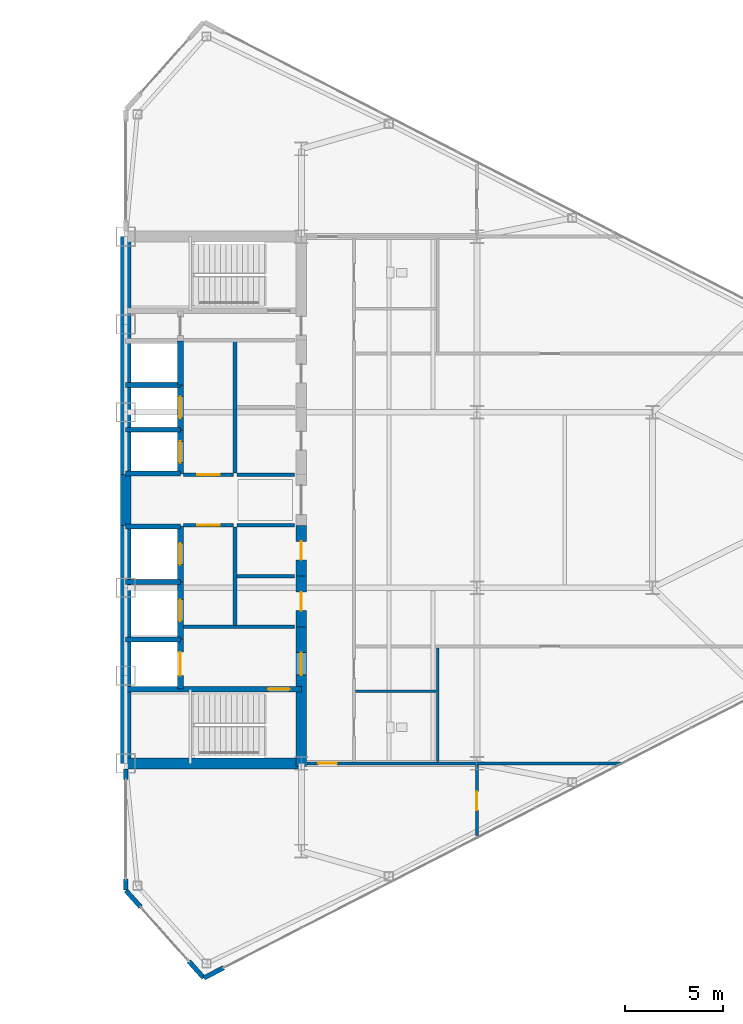
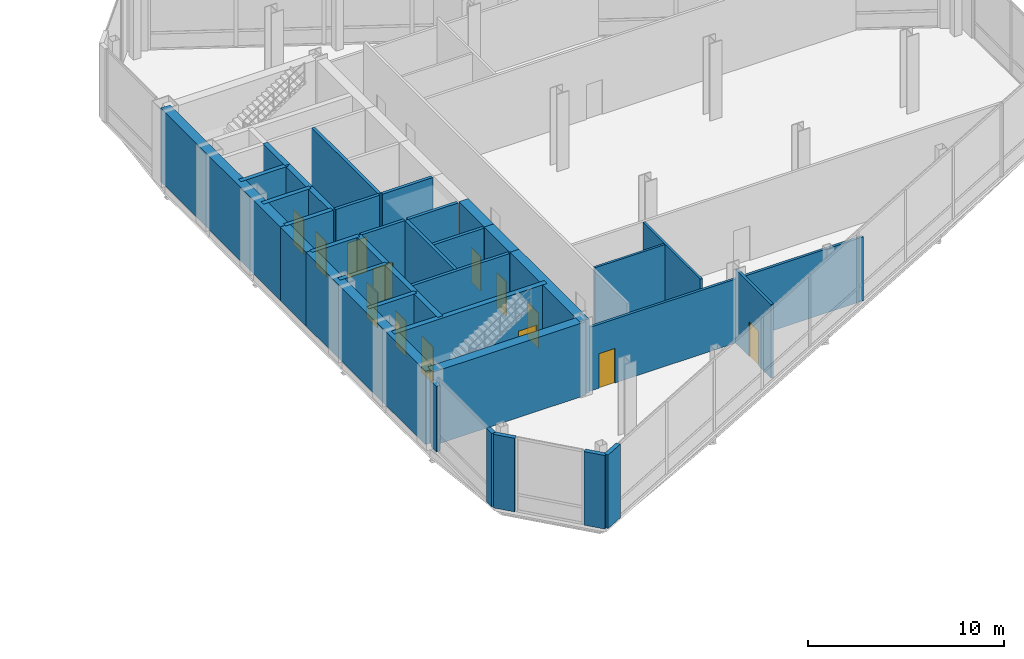
# One storey, part 18 of 22: 37 walls, 13 doors, 13 openings.
"""IFC4 building model written with IfcOpenShell, lengths in metres."""

from ifc_helpers import new_model, si_unit, direction, frame, frame_2d, origin, place, context, subcontext, project, spatial, rectangle, extrude, source, transform, mapped, material, layer, layer_set, type_object, type_shapes, element, fill, save


model = new_model("IFC4")

# Units and contexts
model_context = context("Model", 3, precision=1e-05, world=origin(), true_north=direction((0.0, 1.0)))
body_context = subcontext(model_context, "Body", "Model", "MODEL_VIEW")
ifc_project = project(units=[si_unit("LENGTHUNIT", "METRE"), si_unit("AREAUNIT", "SQUARE_METRE"), si_unit("VOLUMEUNIT", "CUBIC_METRE"), si_unit("PLANEANGLEUNIT", "RADIAN"), si_unit("MASSUNIT", "GRAM", prefix="KILO")], contexts=[model_context])

# Site, building, storey
site_placement = place(None, origin())
site = spatial("IfcSite", under=ifc_project, at=site_placement, CompositionType="ELEMENT")
building_placement = place(site_placement, origin())
building = spatial("IfcBuilding", under=site, at=building_placement, Name="Seokmaru Belvedere", CompositionType="ELEMENT")
storey_placement = place(building_placement, frame((0.0, 0.0, 135.60009765625)))
storey = spatial("IfcBuildingStorey", under=building, at=storey_placement, Name="L36", CompositionType="ELEMENT", Elevation=135.60009765625)

# Wall, opening, door
ifc_material_1 = material(Name="Fire-Rated Gypsum Shaftwall")
ifc_layer_1 = layer(ifc_material_1, 0.14990234375)
ifc_layer_set_1 = layer_set([ifc_layer_1], Name="Fire-Rated Gypsum Shaftwall")
wall_type_1 = type_object("IfcWallType", Name="Apartment Fire-Acoustic Room Partition 150", PredefinedType="PARTITIONING", material=ifc_layer_set_1)
wall_1_placement = place(storey_placement, frame((36.780029296875, -13.5, 0.0), z_axis=(0.0, 0.0, 1.0), x_axis=(1.0, 0.0, 0.0)))
wall_1 = element("IfcWall", 1, at=wall_1_placement, inside=storey, type_object=wall_type_1, Name="L36 Interior Partition 002", PredefinedType="PARTITIONING", context=body_context, shape_type="SweptSolid", body=[
    extrude(rectangle(XDim=16.1669921875, YDim=0.14990234375, at=frame_2d((8.08349609375, 0.0))), origin(), (0.0, 0.0, 1.0), 3.97998046875),
])
opening_1_placement = place(wall_1_placement, frame((0.594970703125, 0.0, 0.0)))
opening_1 = element("IfcOpeningElement", 2, at=opening_1_placement, cuts=wall_1, Name="Opening D05", PredefinedType="OPENING", context=body_context, shape_type="SweptSolid", body=[
    extrude(rectangle(XDim=0.949951171875, YDim=2.14990234375, at=frame_2d((0.47509765625, 1.074951171875))), frame((0.0, 0.0849609375, 0.0), z_axis=(0.0, -1.0, 0.0), x_axis=(1.0, 0.0, 0.0)), (0.0, 0.0, 1.0), 0.169921875),
])
ifc_material_2 = material(Name="Engineered White Oak Timber", Category="wood")
door_type_1 = type_object("IfcDoorType", Name="Apartment Interior Fire-Rated Oak Door 950x2150", OperationType="NOTDEFINED", PredefinedType="DOOR", material=ifc_material_2)
shared_shape_1 = source(origin(), body_context, "Body", "SweptSolid", [
    extrude(rectangle(XDim=0.949951171875, YDim=2.14990234375, at=frame_2d((0.47509765625, 1.074951171875))), frame((0.0, 0.02490234375, 0.0), z_axis=(0.0, -1.0, 0.0), x_axis=(1.0, 0.0, 0.0)), (0.0, 0.0, 1.0), 0.050048828125),
])
type_shapes(door_type_1, [shared_shape_1])
door_1_placement = place(opening_1_placement, origin())
door_1 = element("IfcDoor", 3, at=door_1_placement, inside=storey, type_object=door_type_1, Name="L36 Interior Door 013", OperationType="SINGLE_SWING_LEFT", OverallHeight=2.14990234375, OverallWidth=0.949951171875, PredefinedType="DOOR", context=body_context, shape_type="MappedRepresentation", body=[
    mapped(shared_shape_1, transform((0.0, 0.0, 0.0), scale=1.0)),
])
fill(opening_1, door_1)

wall_2_placement = place(storey_placement, frame((45.5, -17.196044921875, 0.0), z_axis=(0.0, 0.0, 1.0), x_axis=(0.0, 1.0, 0.0)))
wall_2 = element("IfcWall", 4, at=wall_2_placement, inside=storey, type_object=wall_type_1, Name="L36 Interior Partition 021", PredefinedType="PARTITIONING", context=body_context, shape_type="SweptSolid", body=[
    extrude(rectangle(XDim=3.611083984375, YDim=0.14990234375, at=frame_2d((1.8056640625, 0.0))), origin(), (0.0, 0.0, 1.0), 4.579833984375),
])
opening_2_placement = place(wall_2_placement, frame((1.298095703125, 0.0, 0.0)))
opening_2 = element("IfcOpeningElement", 5, at=opening_2_placement, cuts=wall_2, Name="Opening D05", PredefinedType="OPENING", context=body_context, shape_type="SweptSolid", body=[
    extrude(rectangle(XDim=0.949951171875, YDim=2.14990234375, at=frame_2d((0.47509765625, 1.074951171875))), frame((0.0, 0.0849609375, 0.0), z_axis=(0.0, -1.0, 0.0), x_axis=(1.0, 0.0, 0.0)), (0.0, 0.0, 1.0), 0.169921875),
])
door_2_placement = place(opening_2_placement, origin())
door_2 = element("IfcDoor", 6, at=door_2_placement, inside=storey, type_object=door_type_1, Name="L36 Interior Door 015", OperationType="SINGLE_SWING_RIGHT", OverallHeight=2.14990234375, OverallWidth=0.949951171875, PredefinedType="DOOR", context=body_context, shape_type="MappedRepresentation", body=[
    mapped(shared_shape_1, transform((0.0, 0.0, 0.0), scale=1.0)),
])
fill(opening_2, door_2)

# Walls
ifc_layer_2 = layer(ifc_material_1, 0.179931640625)
ifc_layer_set_2 = layer_set([ifc_layer_2], Name="Fire-Rated Gypsum Shaftwall")
wall_type_2 = type_object("IfcWallType", Name="Core Service Fire Partition 180", PredefinedType="PARTITIONING", material=ifc_layer_set_2)
wall_3_placement = place(storey_placement, frame((30.449951171875, -6.5, 0.0), z_axis=(0.0, 0.0, 1.0), x_axis=(1.0, 0.0, 0.0)))
element("IfcWall", 7, at=wall_3_placement, inside=storey, type_object=wall_type_2, Name="L36 East Firefighting Lobby Partition", PredefinedType="PARTITIONING", context=body_context, shape_type="SweptSolid", body=[
    extrude(rectangle(XDim=5.699951171875, YDim=0.179931640625, at=frame_2d((2.85009765625, 0.0))), origin(), (0.0, 0.0, 1.0), 4.579833984375),
])
wall_4_placement = place(storey_placement, frame((33.10009765625, -6.419921875, 0.0), z_axis=(0.0, 0.0, 1.0), x_axis=(0.0, 1.0, 0.0)))
element("IfcWall", 8, at=wall_4_placement, inside=storey, type_object=wall_type_2, Name="L36 East South Core Service Back Wall", PredefinedType="PARTITIONING", context=body_context, shape_type="SweptSolid", body=[
    extrude(rectangle(XDim=5.0400390625, YDim=0.179931640625, at=frame_2d((2.52001953125, 0.0))), origin(), (0.0, 0.0, 1.0), 4.579833984375),
])
wall_5_placement = place(storey_placement, frame((33.10009765625, 1.3798828125, 0.0), z_axis=(0.0, 0.0, 1.0), x_axis=(0.0, 1.0, 0.0)))
element("IfcWall", 9, at=wall_5_placement, inside=storey, type_object=wall_type_2, Name="L36 East North Core Service Back Wall", PredefinedType="PARTITIONING", context=body_context, shape_type="SweptSolid", body=[
    extrude(rectangle(XDim=6.740234375, YDim=0.179931640625, at=frame_2d((3.3701171875, 0.0))), origin(), (0.0, 0.0, 1.0), 4.579833984375),
])

# Wall, opening, door
wall_6_placement = place(storey_placement, frame((30.449951171875, -1.300048828125, 0.0), z_axis=(0.0, 0.0, 1.0), x_axis=(1.0, 0.0, 0.0)))
wall_6 = element("IfcWall", 10, at=wall_6_placement, inside=storey, type_object=wall_type_2, Name="L36 East South Lift Lobby Foyer Wall", PredefinedType="PARTITIONING", context=body_context, shape_type="SweptSolid", body=[
    extrude(rectangle(XDim=2.570068359375, YDim=0.179931640625, at=frame_2d((1.28515625, 0.0))), origin(), (0.0, 0.0, 1.0), 4.579833984375),
])
opening_3_placement = place(wall_6_placement, frame((0.7099609375, 0.0, 0.0)))
opening_3 = element("IfcOpeningElement", 11, at=opening_3_placement, cuts=wall_6, Name="Opening D02", PredefinedType="OPENING", context=body_context, shape_type="SweptSolid", body=[
    extrude(rectangle(XDim=1.14990234375, YDim=2.199951171875, at=frame_2d((0.574951171875, 1.10009765625))), frame((0.0, 0.10009765625, 0.0), z_axis=(0.0, -1.0, 0.0), x_axis=(1.0, 0.0, 0.0)), (0.0, 0.0, 1.0), 0.199951171875),
])
ifc_material_3 = material(Name="Fire-Rated Steel Leaf", Category="steel")
door_type_2 = type_object("IfcDoorType", Name="Lobby and Vestibule Fire Door 1150x2200", OperationType="NOTDEFINED", PredefinedType="DOOR", material=ifc_material_3)
shared_shape_2 = source(origin(), body_context, "Body", "SweptSolid", [
    extrude(rectangle(XDim=1.14990234375, YDim=2.199951171875, at=frame_2d((0.574951171875, 1.10009765625))), frame((0.0, 0.02490234375, 0.0), z_axis=(0.0, -1.0, 0.0), x_axis=(1.0, 0.0, 0.0)), (0.0, 0.0, 1.0), 0.050048828125),
])
type_shapes(door_type_2, [shared_shape_2])
door_3_placement = place(opening_3_placement, origin())
door_3 = element("IfcDoor", 12, at=door_3_placement, inside=storey, type_object=door_type_2, Name="L36 East South Core Foyer Door", OperationType="SINGLE_SWING_RIGHT", OverallHeight=2.199951171875, OverallWidth=1.14990234375, PredefinedType="DOOR", context=body_context, shape_type="MappedRepresentation", body=[
    mapped(shared_shape_2, transform((0.0, 0.0, 0.0), scale=1.0)),
])
fill(opening_3, door_3)

wall_7_placement = place(storey_placement, frame((30.449951171875, 1.300048828125, 0.0), z_axis=(0.0, 0.0, 1.0), x_axis=(1.0, 0.0, 0.0)))
wall_7 = element("IfcWall", 13, at=wall_7_placement, inside=storey, type_object=wall_type_2, Name="L36 East North Lift Lobby Foyer Wall", PredefinedType="PARTITIONING", context=body_context, shape_type="SweptSolid", body=[
    extrude(rectangle(XDim=2.570068359375, YDim=0.179931640625, at=frame_2d((1.28515625, 0.0))), origin(), (0.0, 0.0, 1.0), 4.579833984375),
])
opening_4_placement = place(wall_7_placement, frame((0.7099609375, 0.0, 0.0)))
opening_4 = element("IfcOpeningElement", 14, at=opening_4_placement, cuts=wall_7, Name="Opening D02", PredefinedType="OPENING", context=body_context, shape_type="SweptSolid", body=[
    extrude(rectangle(XDim=1.14990234375, YDim=2.199951171875, at=frame_2d((0.574951171875, 1.10009765625))), frame((0.0, 0.10009765625, 0.0), z_axis=(0.0, -1.0, 0.0), x_axis=(1.0, 0.0, 0.0)), (0.0, 0.0, 1.0), 0.199951171875),
])
door_4_placement = place(opening_4_placement, origin())
door_4 = element("IfcDoor", 15, at=door_4_placement, inside=storey, type_object=door_type_2, Name="L36 East North Lift Lobby Door", OperationType="SINGLE_SWING_LEFT", OverallHeight=2.199951171875, OverallWidth=1.14990234375, PredefinedType="DOOR", context=body_context, shape_type="MappedRepresentation", body=[
    mapped(shared_shape_2, transform((0.0, 0.0, 0.0), scale=1.0)),
])
fill(opening_4, door_4)

# Walls
for number, where, z_axis, x_axis, name in (
    (16, (33.199951171875, -1.300048828125, 0.0), (0.0, 0.0, 1.0), (1.0, 0.0, 0.0), "L36 East Foyer Side Wall S"),
    (17, (33.199951171875, 1.300048828125, 0.0), (0.0, 0.0, 1.0), (1.0, 0.0, 0.0), "L36 East Foyer Side Wall N"),
    (18, (33.199951171875, -3.89990234375, 0.0), (0.0, 0.0, 1.0), (1.0, 0.0, 0.0), "L36 East Core Service Partition 1"),
):
    element("IfcWall", number, at=place(storey_placement, frame(where, z_axis=z_axis, x_axis=x_axis)), inside=storey, type_object=wall_type_2, Name=name, PredefinedType="PARTITIONING", context=body_context, shape_type="SweptSolid", body=[
        extrude(rectangle(XDim=2.949951171875, YDim=0.179931640625, at=frame_2d((1.47509765625, 0.0))), origin(), (0.0, 0.0, 1.0), 4.579833984375),
    ])
ifc_material_4 = material(Name="Concrete C50 (50 MPa)", Category="concrete")
ifc_layer_3 = layer(ifc_material_4, 0.25)
ifc_layer_set_3 = layer_set([ifc_layer_3], Name="Concrete C50 (50 MPa)")
wall_type_3 = type_object("IfcWallType", Name="Hoistway Transverse Concrete Divider Wall 250", PredefinedType="SHEAR", material=ifc_layer_set_3)
for number, where, z_axis, x_axis, name in (
    (19, (27.5, -7.14990234375, 0.0), (0.0, 0.0, 1.0), (1.0, 0.0, 0.0), "L36 East Hoistway Divider Core Wall 1"),
    (20, (27.5, -4.199951171875, 0.0), (0.0, 0.0, 1.0), (1.0, 0.0, 0.0), "L36 East Hoistway Divider Core Wall 2"),
    (21, (27.5, -1.35009765625, 0.0), (0.0, 0.0, 1.0), (1.0, 0.0, 0.0), "L36 East Hoistway Divider Core Wall 3"),
    (22, (27.5, 1.35009765625, 0.0), (0.0, 0.0, 1.0), (1.0, 0.0, 0.0), "L36 East Hoistway Divider Core Wall 4"),
    (23, (27.5, 3.60009765625, 0.0), (0.0, 0.0, 1.0), (1.0, 0.0, 0.0), "L36 East Hoistway Divider Core Wall 5"),
    (24, (27.5, 5.89990234375, 0.0), (0.0, 0.0, 1.0), (1.0, 0.0, 0.0), "L36 East Hoistway Divider Core Wall 6"),
):
    element("IfcWall", number, at=place(storey_placement, frame(where, z_axis=z_axis, x_axis=x_axis)), inside=storey, type_object=wall_type_3, Name=name, PredefinedType="SHEAR", context=body_context, shape_type="SweptSolid", body=[
        extrude(rectangle(XDim=2.800048828125, YDim=0.25, at=frame_2d((1.39990234375, 0.0))), origin(), (0.0, 0.0, 1.0), 4.579833984375),
    ])

# Wall, opening, door
ifc_layer_4 = layer(ifc_material_4, 0.300048828125)
ifc_layer_set_4 = layer_set([ifc_layer_4], Name="Concrete C50 (50 MPa)")
wall_type_4 = type_object("IfcWallType", Name="Internal Core Stair and Hoistway Wall 300", PredefinedType="SHEAR", material=ifc_layer_set_4)
wall_8_placement = place(storey_placement, frame((27.5, -9.699951171875, 0.0), z_axis=(0.0, 0.0, 1.0), x_axis=(1.0, 0.0, 0.0)))
wall_8 = element("IfcWall", 25, at=wall_8_placement, inside=storey, type_object=wall_type_4, Name="L36 East Stair ST-1 Enclosure Wall", PredefinedType="SHEAR", context=body_context, shape_type="SweptSolid", body=[
    extrude(rectangle(XDim=9.0, YDim=0.300048828125, at=frame_2d((4.5, 0.0))), origin(), (0.0, 0.0, 1.0), 4.579833984375),
])
opening_5_placement = place(wall_8_placement, frame((7.300048828125, 0.0, 0.0)))
opening_5 = element("IfcOpeningElement", 26, at=opening_5_placement, cuts=wall_8, Name="Opening D01", PredefinedType="OPENING", context=body_context, shape_type="SweptSolid", body=[
    extrude(rectangle(XDim=1.10009765625, YDim=2.199951171875, at=frame_2d((0.550048828125, 1.10009765625))), frame((0.0, 0.16015625, 0.0), z_axis=(0.0, -1.0, 0.0), x_axis=(1.0, 0.0, 0.0)), (0.0, 0.0, 1.0), 0.320068359375),
])
door_type_3 = type_object("IfcDoorType", Name="Special Escape Stair Smokeproof Fire Door 1100x2200", OperationType="NOTDEFINED", PredefinedType="DOOR", material=ifc_material_3)
shared_shape_3 = source(origin(), body_context, "Body", "SweptSolid", [
    extrude(rectangle(XDim=1.10009765625, YDim=2.199951171875, at=frame_2d((0.550048828125, 1.10009765625))), frame((0.0, 0.02490234375, 0.0), z_axis=(0.0, -1.0, 0.0), x_axis=(1.0, 0.0, 0.0)), (0.0, 0.0, 1.0), 0.050048828125),
])
type_shapes(door_type_3, [shared_shape_3])
door_5_placement = place(opening_5_placement, frame((1.10009765625, 0.0, 0.0), z_axis=(0.0, 0.0, 1.0), x_axis=(-1.0, 0.0, 0.0)))
door_5 = element("IfcDoor", 27, at=door_5_placement, inside=storey, type_object=door_type_3, Name="L36 East Special Escape Stair ST-1 Door", OperationType="SINGLE_SWING_RIGHT", OverallHeight=2.199951171875, OverallWidth=1.10009765625, PredefinedType="DOOR", context=body_context, shape_type="MappedRepresentation", body=[
    mapped(shared_shape_3, transform((0.0, 0.0, 0.0), scale=1.0)),
])
fill(opening_5, door_5)

wall_9_placement = place(storey_placement, frame((30.300048828125, -9.679931640625, 0.0), z_axis=(0.0, 0.0, 1.0), x_axis=(0.0, 1.0, 0.0)))
wall_9 = element("IfcWall", 28, at=wall_9_placement, inside=storey, type_object=wall_type_4, Name="L36 East Firefighting Lift Shaft Front Wall", PredefinedType="SHEAR", context=body_context, shape_type="SweptSolid", body=[
    extrude(rectangle(XDim=2.559814453125, YDim=0.300048828125, at=frame_2d((1.27978515625, 0.0))), origin(), (0.0, 0.0, 1.0), 4.579833984375),
])
opening_6_placement = place(wall_9_placement, frame((0.679931640625, 0.0, 0.0)))
opening_6 = element("IfcOpeningElement", 29, at=opening_6_placement, cuts=wall_9, Name="Opening LD2", PredefinedType="OPENING", context=body_context, shape_type="SweptSolid", body=[
    extrude(rectangle(XDim=1.199951171875, YDim=2.25, at=frame_2d((0.60009765625, 1.125))), frame((0.0, 0.16015625, 0.0), z_axis=(0.0, -1.0, 0.0), x_axis=(1.0, 0.0, 0.0)), (0.0, 0.0, 1.0), 0.320068359375),
])
ifc_material_5 = material(Name="Stainless Steel 316", Category="steel")
door_type_4 = type_object("IfcDoorType", Name="Firefighting Lift Sliding Landing Door 1200x2250", OperationType="DOUBLE_DOOR_SLIDING", PredefinedType="DOOR", material=ifc_material_5)
shared_shape_4 = source(origin(), body_context, "Body", "SweptSolid", [
    extrude(rectangle(XDim=1.199951171875, YDim=2.25, at=frame_2d((0.60009765625, 1.125))), frame((0.0, 0.02490234375, 0.0), z_axis=(0.0, -1.0, 0.0), x_axis=(1.0, 0.0, 0.0)), (0.0, 0.0, 1.0), 0.050048828125),
])
type_shapes(door_type_4, [shared_shape_4])
door_6_placement = place(opening_6_placement, origin())
door_6 = element("IfcDoor", 30, at=door_6_placement, inside=storey, type_object=door_type_4, Name="L36 East Firefighting Lift Landing Door", OperationType="DOUBLE_DOOR_SLIDING", OverallHeight=2.25, OverallWidth=1.199951171875, PredefinedType="DOOR", context=body_context, shape_type="MappedRepresentation", body=[
    mapped(shared_shape_4, transform((0.0, 0.0, 0.0), scale=1.0)),
])
fill(opening_6, door_6)

wall_10_placement = place(storey_placement, frame((30.300048828125, -7.1201171875, 0.0), z_axis=(0.0, 0.0, 1.0), x_axis=(0.0, 1.0, 0.0)))
wall_10 = element("IfcWall", 31, at=wall_10_placement, inside=storey, type_object=wall_type_4, Name="L36 East Low-Rise Lift PL-1 Front Wall", PredefinedType="SHEAR", context=body_context, shape_type="SweptSolid", body=[
    extrude(rectangle(XDim=2.920166015625, YDim=0.300048828125, at=frame_2d((1.4599609375, 0.0))), origin(), (0.0, 0.0, 1.0), 4.579833984375),
])
opening_7_placement = place(wall_10_placement, frame((0.909912109375, 0.0, 0.0)))
opening_7 = element("IfcOpeningElement", 32, at=opening_7_placement, cuts=wall_10, Name="Opening LD1", PredefinedType="OPENING", context=body_context, shape_type="SweptSolid", body=[
    extrude(rectangle(XDim=1.10009765625, YDim=2.199951171875, at=frame_2d((0.550048828125, 1.10009765625))), frame((0.0, 0.16015625, 0.0), z_axis=(0.0, -1.0, 0.0), x_axis=(1.0, 0.0, 0.0)), (0.0, 0.0, 1.0), 0.320068359375),
])
door_type_5 = type_object("IfcDoorType", Name="Passenger Lift Sliding Landing Door 1100x2200", OperationType="DOUBLE_DOOR_SLIDING", PredefinedType="DOOR", material=ifc_material_5)
shared_shape_5 = source(origin(), body_context, "Body", "SweptSolid", [
    extrude(rectangle(XDim=1.10009765625, YDim=2.199951171875, at=frame_2d((0.550048828125, 1.10009765625))), frame((0.0, 0.02490234375, 0.0), z_axis=(0.0, -1.0, 0.0), x_axis=(1.0, 0.0, 0.0)), (0.0, 0.0, 1.0), 0.050048828125),
])
type_shapes(door_type_5, [shared_shape_5])
door_7_placement = place(opening_7_placement, origin())
door_7 = element("IfcDoor", 33, at=door_7_placement, inside=storey, type_object=door_type_5, Name="L36 East Low-Rise Lift PL-1 Landing Door", OperationType="DOUBLE_DOOR_SLIDING", OverallHeight=2.199951171875, OverallWidth=1.10009765625, PredefinedType="DOOR", context=body_context, shape_type="MappedRepresentation", body=[
    mapped(shared_shape_5, transform((0.0, 0.0, 0.0), scale=1.0)),
])
fill(opening_7, door_7)

wall_11_placement = place(storey_placement, frame((30.300048828125, -4.199951171875, 0.0), z_axis=(0.0, 0.0, 1.0), x_axis=(0.0, 1.0, 0.0)))
wall_11 = element("IfcWall", 34, at=wall_11_placement, inside=storey, type_object=wall_type_4, Name="L36 East Low-Rise Lift PL-2 Front Wall", PredefinedType="SHEAR", context=body_context, shape_type="SweptSolid", body=[
    extrude(rectangle(XDim=2.8798828125, YDim=0.300048828125, at=frame_2d((1.43994140625, 0.0))), origin(), (0.0, 0.0, 1.0), 4.579833984375),
])
opening_8_placement = place(wall_11_placement, frame((0.889892578125, 0.0, 0.0)))
opening_8 = element("IfcOpeningElement", 35, at=opening_8_placement, cuts=wall_11, Name="Opening LD1", PredefinedType="OPENING", context=body_context, shape_type="SweptSolid", body=[
    extrude(rectangle(XDim=1.10009765625, YDim=2.199951171875, at=frame_2d((0.550048828125, 1.10009765625))), frame((0.0, 0.16015625, 0.0), z_axis=(0.0, -1.0, 0.0), x_axis=(1.0, 0.0, 0.0)), (0.0, 0.0, 1.0), 0.320068359375),
])
door_8_placement = place(opening_8_placement, origin())
door_8 = element("IfcDoor", 36, at=door_8_placement, inside=storey, type_object=door_type_5, Name="L36 East Low-Rise Lift PL-2 Landing Door", OperationType="DOUBLE_DOOR_SLIDING", OverallHeight=2.199951171875, OverallWidth=1.10009765625, PredefinedType="DOOR", context=body_context, shape_type="MappedRepresentation", body=[
    mapped(shared_shape_5, transform((0.0, 0.0, 0.0), scale=1.0)),
])
fill(opening_8, door_8)

wall_12_placement = place(storey_placement, frame((30.300048828125, 1.320068359375, 0.0), z_axis=(0.0, 0.0, 1.0), x_axis=(0.0, 1.0, 0.0)))
wall_12 = element("IfcWall", 37, at=wall_12_placement, inside=storey, type_object=wall_type_4, Name="L36 East North Hoistway Wall PH1", PredefinedType="SHEAR", context=body_context, shape_type="SweptSolid", body=[
    extrude(rectangle(XDim=2.280029296875, YDim=0.300048828125, at=frame_2d((1.14013671875, 0.0))), origin(), (0.0, 0.0, 1.0), 4.579833984375),
])
opening_9_placement = place(wall_12_placement, frame((0.590087890625, 0.0, 0.0)))
opening_9 = element("IfcOpeningElement", 38, at=opening_9_placement, cuts=wall_12, Name="Opening LD1", PredefinedType="OPENING", context=body_context, shape_type="SweptSolid", body=[
    extrude(rectangle(XDim=1.10009765625, YDim=2.199951171875, at=frame_2d((0.550048828125, 1.10009765625))), frame((0.0, 0.16015625, 0.0), z_axis=(0.0, -1.0, 0.0), x_axis=(1.0, 0.0, 0.0)), (0.0, 0.0, 1.0), 0.320068359375),
])
door_9_placement = place(opening_9_placement, origin())
door_9 = element("IfcDoor", 39, at=door_9_placement, inside=storey, type_object=door_type_5, Name="L36 East High-Rise Lift PH-1 Landing Door", OperationType="DOUBLE_DOOR_SLIDING", OverallHeight=2.199951171875, OverallWidth=1.10009765625, PredefinedType="DOOR", context=body_context, shape_type="MappedRepresentation", body=[
    mapped(shared_shape_5, transform((0.0, 0.0, 0.0), scale=1.0)),
])
fill(opening_9, door_9)

wall_13_placement = place(storey_placement, frame((30.300048828125, 3.60009765625, 0.0), z_axis=(0.0, 0.0, 1.0), x_axis=(0.0, 1.0, 0.0)))
wall_13 = element("IfcWall", 40, at=wall_13_placement, inside=storey, type_object=wall_type_4, Name="L36 East North Hoistway Wall PH2", PredefinedType="SHEAR", context=body_context, shape_type="SweptSolid", body=[
    extrude(rectangle(XDim=2.2998046875, YDim=0.300048828125, at=frame_2d((1.14990234375, 0.0))), origin(), (0.0, 0.0, 1.0), 4.579833984375),
])
opening_10_placement = place(wall_13_placement, frame((0.60009765625, 0.0, 0.0)))
opening_10 = element("IfcOpeningElement", 41, at=opening_10_placement, cuts=wall_13, Name="Opening LD1", PredefinedType="OPENING", context=body_context, shape_type="SweptSolid", body=[
    extrude(rectangle(XDim=1.10009765625, YDim=2.199951171875, at=frame_2d((0.550048828125, 1.10009765625))), frame((0.0, 0.16015625, 0.0), z_axis=(0.0, -1.0, 0.0), x_axis=(1.0, 0.0, 0.0)), (0.0, 0.0, 1.0), 0.320068359375),
])
door_10_placement = place(opening_10_placement, origin())
door_10 = element("IfcDoor", 42, at=door_10_placement, inside=storey, type_object=door_type_5, Name="L36 East High-Rise Lift PH-2 Landing Door", OperationType="DOUBLE_DOOR_SLIDING", OverallHeight=2.199951171875, OverallWidth=1.10009765625, PredefinedType="DOOR", context=body_context, shape_type="MappedRepresentation", body=[
    mapped(shared_shape_5, transform((0.0, 0.0, 0.0), scale=1.0)),
])
fill(opening_10, door_10)

# Walls
wall_14_placement = place(storey_placement, frame((30.300048828125, 5.89990234375, 0.0), z_axis=(0.0, 0.0, 1.0), x_axis=(0.0, 1.0, 0.0)))
element("IfcWall", 43, at=wall_14_placement, inside=storey, type_object=wall_type_4, Name="L36 East North Hoistway Wall OBS", PredefinedType="SHEAR", context=body_context, shape_type="SweptSolid", body=[
    extrude(rectangle(XDim=2.25, YDim=0.300048828125, at=frame_2d((1.125, 0.0))), origin(), (0.0, 0.0, 1.0), 4.579833984375),
])
ifc_layer_5 = layer(ifc_material_4, 0.550048828125)
ifc_layer_set_5 = layer_set([ifc_layer_5], Name="Concrete C50 (50 MPa)")
wall_type_5 = type_object("IfcWallType", Name="Mid-High Reinforced Concrete Core Wall 550", PredefinedType="SHEAR", material=ifc_layer_set_5)
for number, where, z_axis, x_axis, name in (
    (44, (27.5, -13.5, 0.0), (0.0, 0.0, 1.0), (0.0, 1.0, 0.0), "L36 East Portal Spine Core Wall South"),
    (45, (27.5, 1.300048828125, 0.0), (0.0, 0.0, 1.0), (0.0, 1.0, 0.0), "L36 East Portal Spine Core Wall North"),
):
    element("IfcWall", number, at=place(storey_placement, frame(where, z_axis=z_axis, x_axis=x_axis)), inside=storey, type_object=wall_type_5, Name=name, PredefinedType="SHEAR", context=body_context, shape_type="SweptSolid", body=[
        extrude(rectangle(XDim=12.199951171875, YDim=0.550048828125, at=frame_2d((6.10009765625, 0.0))), origin(), (0.0, 0.0, 1.0), 4.579833984375),
    ])
wall_15_placement = place(storey_placement, frame((27.5, -1.300048828125, 0.0), z_axis=(0.0, 0.0, 1.0), x_axis=(0.0, 1.0, 0.0)))
element("IfcWall", 46, at=wall_15_placement, inside=storey, type_object=wall_type_5, Name="L36 East Portal Spine Core Wall Center", PredefinedType="SHEAR", context=body_context, shape_type="SweptSolid", body=[
    extrude(rectangle(XDim=2.60009765625, YDim=0.550048828125, at=frame_2d((1.300048828125, 0.0))), origin(), (0.0, 0.0, 1.0), 4.579833984375),
])
wall_16_placement = place(storey_placement, frame((27.5, -13.5, 0.0), z_axis=(0.0, 0.0, 1.0), x_axis=(1.0, 0.0, 0.0)))
element("IfcWall", 47, at=wall_16_placement, inside=storey, type_object=wall_type_5, Name="L36 East South Core Wall", PredefinedType="SHEAR", context=body_context, shape_type="SweptSolid", body=[
    extrude(rectangle(XDim=9.0, YDim=0.550048828125, at=frame_2d((4.5, 0.0))), origin(), (0.0, 0.0, 1.0), 4.579833984375),
])

# Wall, opening, door
wall_17_placement = place(storey_placement, frame((36.5, -13.64990234375, 0.0), z_axis=(0.0, 0.0, 1.0), x_axis=(0.0, 1.0, 0.0)))
wall_17 = element("IfcWall", 48, at=wall_17_placement, inside=storey, type_object=wall_type_5, Name="L36 East West Core Wall FF", PredefinedType="SHEAR", context=body_context, shape_type="SweptSolid", body=[
    extrude(rectangle(XDim=7.14990234375, YDim=0.550048828125, at=frame_2d((3.574951171875, 0.0))), origin(), (0.0, 0.0, 1.0), 4.579833984375),
])
opening_11_placement = place(wall_17_placement, frame((4.675048828125, 0.0, 0.0)))
opening_11 = element("IfcOpeningElement", 49, at=opening_11_placement, cuts=wall_17, Name="Opening D02", PredefinedType="OPENING", context=body_context, shape_type="SweptSolid", body=[
    extrude(rectangle(XDim=1.14990234375, YDim=2.199951171875, at=frame_2d((0.574951171875, 1.10009765625))), frame((0.0, 0.28515625, 0.0), z_axis=(0.0, -1.0, 0.0), x_axis=(1.0, 0.0, 0.0)), (0.0, 0.0, 1.0), 0.570068359375),
])
door_11_placement = place(opening_11_placement, origin())
door_11 = element("IfcDoor", 50, at=door_11_placement, inside=storey, type_object=door_type_2, Name="L36 East Firefighting Lobby Door", OperationType="SINGLE_SWING_RIGHT", OverallHeight=2.199951171875, OverallWidth=1.14990234375, PredefinedType="DOOR", context=body_context, shape_type="MappedRepresentation", body=[
    mapped(shared_shape_2, transform((0.0, 0.0, 0.0), scale=1.0)),
])
fill(opening_11, door_11)

wall_18_placement = place(storey_placement, frame((36.5, -6.5, 0.0), z_axis=(0.0, 0.0, 1.0), x_axis=(0.0, 1.0, 0.0)))
wall_18 = element("IfcWall", 51, at=wall_18_placement, inside=storey, type_object=wall_type_5, Name="L36 East West Core Wall CS1", PredefinedType="SHEAR", context=body_context, shape_type="SweptSolid", body=[
    extrude(rectangle(XDim=2.60009765625, YDim=0.550048828125, at=frame_2d((1.300048828125, 0.0))), origin(), (0.0, 0.0, 1.0), 4.579833984375),
])
opening_12_placement = place(wall_18_placement, frame((0.824951171875, 0.0, 0.0)))
opening_12 = element("IfcOpeningElement", 52, at=opening_12_placement, cuts=wall_18, Name="Opening D04", PredefinedType="OPENING", context=body_context, shape_type="SweptSolid", body=[
    extrude(rectangle(XDim=0.949951171875, YDim=2.14990234375, at=frame_2d((0.47509765625, 1.074951171875))), frame((0.0, 0.28515625, 0.0), z_axis=(0.0, -1.0, 0.0), x_axis=(1.0, 0.0, 0.0)), (0.0, 0.0, 1.0), 0.570068359375),
])
door_type_6 = type_object("IfcDoorType", Name="Core Service Room Fire Door 950x2150", OperationType="NOTDEFINED", PredefinedType="DOOR", material=ifc_material_3)
shared_shape_6 = source(origin(), body_context, "Body", "SweptSolid", [
    extrude(rectangle(XDim=0.949951171875, YDim=2.14990234375, at=frame_2d((0.47509765625, 1.074951171875))), frame((0.0, 0.02490234375, 0.0), z_axis=(0.0, -1.0, 0.0), x_axis=(1.0, 0.0, 0.0)), (0.0, 0.0, 1.0), 0.050048828125),
])
type_shapes(door_type_6, [shared_shape_6])
door_12_placement = place(opening_12_placement, origin())
door_12 = element("IfcDoor", 53, at=door_12_placement, inside=storey, type_object=door_type_6, Name="L36 East Core Service Room Door 1", OperationType="SINGLE_SWING_RIGHT", OverallHeight=2.14990234375, OverallWidth=0.949951171875, PredefinedType="DOOR", context=body_context, shape_type="MappedRepresentation", body=[
    mapped(shared_shape_6, transform((0.0, 0.0, 0.0), scale=1.0)),
])
fill(opening_12, door_12)

wall_19_placement = place(storey_placement, frame((36.5, -3.89990234375, 0.0), z_axis=(0.0, 0.0, 1.0), x_axis=(0.0, 1.0, 0.0)))
wall_19 = element("IfcWall", 54, at=wall_19_placement, inside=storey, type_object=wall_type_5, Name="L36 East West Core Wall CS2", PredefinedType="SHEAR", context=body_context, shape_type="SweptSolid", body=[
    extrude(rectangle(XDim=2.599853515625, YDim=0.550048828125, at=frame_2d((1.2998046875, 0.0))), origin(), (0.0, 0.0, 1.0), 4.579833984375),
])
opening_13_placement = place(wall_19_placement, frame((0.824951171875, 0.0, 0.0)))
opening_13 = element("IfcOpeningElement", 55, at=opening_13_placement, cuts=wall_19, Name="Opening D04", PredefinedType="OPENING", context=body_context, shape_type="SweptSolid", body=[
    extrude(rectangle(XDim=0.949951171875, YDim=2.14990234375, at=frame_2d((0.47509765625, 1.074951171875))), frame((0.0, 0.28515625, 0.0), z_axis=(0.0, -1.0, 0.0), x_axis=(1.0, 0.0, 0.0)), (0.0, 0.0, 1.0), 0.570068359375),
])
door_13_placement = place(opening_13_placement, origin())
door_13 = element("IfcDoor", 56, at=door_13_placement, inside=storey, type_object=door_type_6, Name="L36 East Core Service Room Door 2", OperationType="SINGLE_SWING_LEFT", OverallHeight=2.14990234375, OverallWidth=0.949951171875, PredefinedType="DOOR", context=body_context, shape_type="MappedRepresentation", body=[
    mapped(shared_shape_6, transform((0.0, 0.0, 0.0), scale=1.0)),
])
fill(opening_13, door_13)

# Walls
ifc_layer_6 = layer(ifc_material_1, 0.1298828125)
ifc_layer_set_6 = layer_set([ifc_layer_6], Name="Fire-Rated Gypsum Shaftwall")
wall_type_6 = type_object("IfcWallType", Name="Moisture-Resistant Fire-Rated Bathroom Partition 130", PredefinedType="PARTITIONING", material=ifc_layer_set_6)
wall_20_placement = place(storey_placement, frame((39.284912109375, -9.800048828125, 0.0), z_axis=(0.0, 0.0, 1.0), x_axis=(1.0, 0.0, 0.0)))
element("IfcWall", 57, at=wall_20_placement, inside=storey, type_object=wall_type_6, Name="L36 Interior Partition 004", PredefinedType="PARTITIONING", context=body_context, shape_type="SweptSolid", body=[
    extrude(rectangle(XDim=4.130126953125, YDim=0.1298828125, at=frame_2d((2.06494140625, 0.0))), origin(), (0.0, 0.0, 1.0), 4.579833984375),
])
wall_21_placement = place(storey_placement, frame((43.5, -13.4150390625, 0.0), z_axis=(0.0, 0.0, 1.0), x_axis=(0.0, 1.0, 0.0)))
element("IfcWall", 58, at=wall_21_placement, inside=storey, type_object=wall_type_6, Name="L36 Interior Partition 019", PredefinedType="PARTITIONING", context=body_context, shape_type="SweptSolid", body=[
    extrude(rectangle(XDim=5.830078125, YDim=0.1298828125, at=frame_2d((2.9150390625, 0.0))), origin(), (0.0, 0.0, 1.0), 4.579833984375),
])
ifc_material_6 = material(Name="Anodised Bronze Aluminium", Category="aluminium")
ifc_layer_7 = layer(ifc_material_6, 0.239990234375)
ifc_layer_set_7 = layer_set([ifc_layer_7], Name="Anodised Bronze Aluminium")
wall_type_7 = type_object("IfcWallType", Name="Tower Corner Spandrel Closure Wall 240", PredefinedType="SOLIDWALL", material=ifc_layer_set_7)
wall_22_placement = place(storey_placement, frame((31.5087890625, -24.495361328125, 0.0), z_axis=(0.0, 0.0, 1.0), x_axis=(0.889797395748, 0.456355776255, 0.0)))
element("IfcWall", 59, at=wall_22_placement, inside=storey, type_object=wall_type_7, Name="L36 E Corner Closure Pier 1A", PredefinedType="SOLIDWALL", context=body_context, shape_type="SweptSolid", body=[
    extrude(rectangle(XDim=1.14013671875, YDim=0.239990234375, at=frame_2d((0.570068359375, 0.0))), origin(), (0.0, 0.0, 1.0), 4.579833984375),
])
wall_23_placement = place(storey_placement, frame((27.5, -19.97998046875, 0.0), z_axis=(0.0, 0.0, 1.0), x_axis=(0.0, 1.0, 0.0)))
element("IfcWall", 60, at=wall_23_placement, inside=storey, type_object=wall_type_7, Name="L36 E Spine Closure Pier 1A", PredefinedType="SOLIDWALL", context=body_context, shape_type="SweptSolid", body=[
    extrude(rectangle(XDim=0.550048828125, YDim=0.239990234375, at=frame_2d((0.27490234375, 0.0))), origin(), (0.0, 0.0, 1.0), 4.579833984375),
])
wall_24_placement = place(storey_placement, frame((27.5, -14.330078125, 0.0), z_axis=(0.0, 0.0, 1.0), x_axis=(0.0, 1.0, 0.0)))
element("IfcWall", 61, at=wall_24_placement, inside=storey, type_object=wall_type_7, Name="L36 E Spine Closure Pier 1B", PredefinedType="SOLIDWALL", context=body_context, shape_type="SweptSolid", body=[
    extrude(rectangle(XDim=0.550048828125, YDim=0.239990234375, at=frame_2d((0.27490234375, 0.0))), origin(), (0.0, 0.0, 1.0), 4.079833984375),
])
for number, where, z_axis, x_axis, name in (
    (62, (27.506591796875, -20.007568359375, 0.0), (0.0, 0.0, 1.0), (0.664337252513, -0.747432950119, 0.0), "L36 E Corner Closure Pier 6A"),
    (63, (30.736083984375, -23.640380859375, 0.0), (0.0, 0.0, 1.0), (0.664337252513, -0.747432950119, 0.0), "L36 E Corner Closure Pier 6B"),
):
    element("IfcWall", number, at=place(storey_placement, frame(where, z_axis=z_axis, x_axis=x_axis)), inside=storey, type_object=wall_type_7, Name=name, PredefinedType="SOLIDWALL", context=body_context, shape_type="SweptSolid", body=[
        extrude(rectangle(XDim=1.139892578125, YDim=0.239990234375, at=frame_2d((0.56982421875, 0.0))), origin(), (0.0, 0.0, 1.0), 4.579833984375),
    ])

save(model, "model.ifc")
